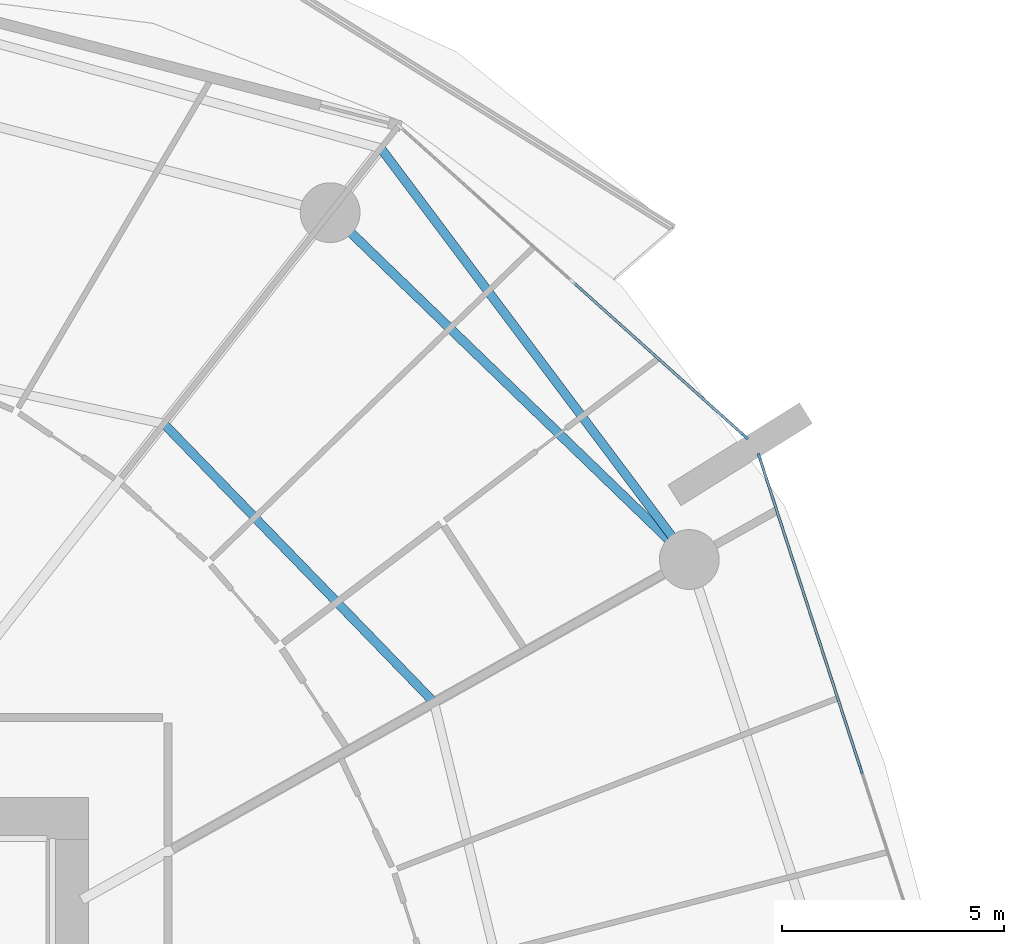
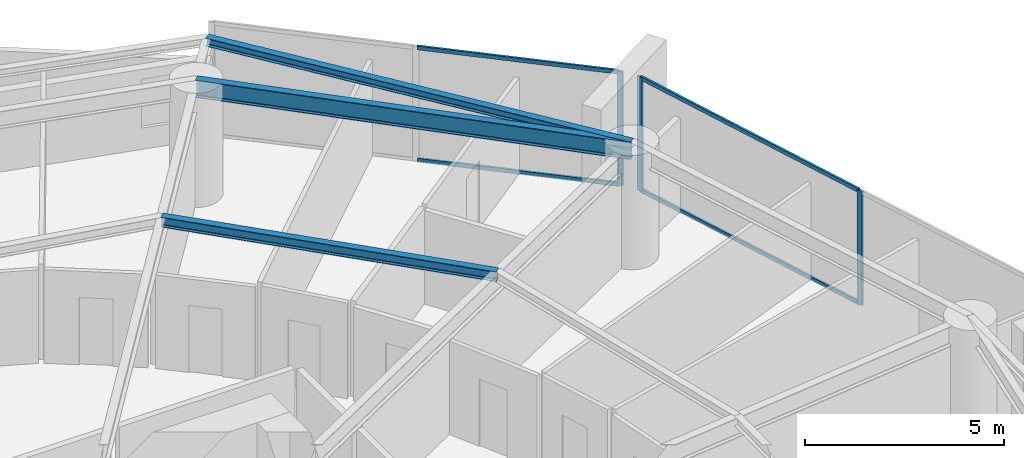
# One storey, part 15 of 31: 7 members, 3 beams, 2 elements without a shape of their own.
"""IFC4 building model written with IfcOpenShell, lengths in metres."""

from ifc_helpers import new_model, si_unit, direction, frame, origin, origin_2d, place, context, subcontext, project, spatial, rectangle, i_section, extrude, material, layer, layer_set, material_profile, profile_set, type_object, element, aggregate, save


model = new_model("IFC4")

# Units and contexts
model_context = context("Model", 3, precision=1e-05, world=origin(), true_north=direction((0.0, 1.0)))
body_context = subcontext(model_context, "Body", "Model", "MODEL_VIEW")
ifc_project = project(units=[si_unit("LENGTHUNIT", "METRE"), si_unit("AREAUNIT", "SQUARE_METRE"), si_unit("VOLUMEUNIT", "CUBIC_METRE"), si_unit("PLANEANGLEUNIT", "RADIAN"), si_unit("MASSUNIT", "GRAM", prefix="KILO")], contexts=[model_context])

# Site, building, storey
site_placement = place(None, origin())
site = spatial("IfcSite", under=ifc_project, at=site_placement, CompositionType="ELEMENT")
building_placement = place(site_placement, origin())
building = spatial("IfcBuilding", under=site, at=building_placement, Name="Kazma Halo Residences", CompositionType="ELEMENT")
storey_placement = place(building_placement, frame((0.0, 0.0, 33.89990234375)))
storey = spatial("IfcBuildingStorey", under=building, at=storey_placement, Name="L07", CompositionType="ELEMENT", Elevation=33.89990234375)

# Beams
ifc_material_1 = material(Name="Steel S355", Category="steel")
ifc_material_profile_1 = material_profile(ifc_material_1, i_section(OverallWidth=0.201904296875, OverallDepth=0.2470703125, WebThickness=0.00732421875, FlangeThickness=0.010986328125, FilletRadius=0.011962890625, at=origin_2d()), Name="W250x49.1")
ifc_profile_set_1 = profile_set([ifc_material_profile_1], Name="Steel S355")
beam_type_1 = type_object("IfcBeamType", Name="BM-BAL-CANT", PredefinedType="BEAM", material=ifc_profile_set_1)
beam_1_placement = place(storey_placement, frame((73.56494140625, 56.317138671875, 3.376708984375), z_axis=(-0.600026935007, 0.799979798037, 0.0), x_axis=(-0.799979798037, -0.600026935007, 0.0)))
element("IfcBeam", 1, at=beam_1_placement, inside=storey, type_object=beam_type_1, Name="L07 wave-balcony lead tie beam 01", PredefinedType="BEAM", context=body_context, shape_type="SweptSolid", body=[
    extrude(i_section(OverallWidth=0.201904296875, OverallDepth=0.2470703125, WebThickness=0.00732421875, FlangeThickness=0.010986328125, FilletRadius=0.011962890625, at=origin_2d()), origin(), (0.0, 0.0, 1.0), 11.601806640625),
])
ifc_material_profile_2 = material_profile(ifc_material_1, i_section(OverallWidth=0.202880859375, OverallDepth=0.302978515625, WebThickness=0.007568359375, FlangeThickness=0.01318359375, FilletRadius=0.013916015625, at=origin_2d()), Name="W310x60")
ifc_profile_set_2 = profile_set([ifc_material_profile_2], Name="Steel S355")
beam_type_2 = type_object("IfcBeamType", Name="BM-SEC-W310A", PredefinedType="JOIST", material=ifc_profile_set_2)
beam_2_placement = place(storey_placement, frame((67.8046875, 53.09130859375, 3.3486328125), z_axis=(-0.696130608567, 0.717915159205, 0.0), x_axis=(-0.717915159205, -0.696130608567, 0.0)))
element("IfcBeam", 2, at=beam_2_placement, inside=storey, type_object=beam_type_2, Name="L07 circumferential floor joist 01", PredefinedType="JOIST", context=body_context, shape_type="SweptSolid", body=[
    extrude(i_section(OverallWidth=0.202880859375, OverallDepth=0.302978515625, WebThickness=0.007568359375, FlangeThickness=0.01318359375, FilletRadius=0.013916015625, at=origin_2d()), origin(), (0.0, 0.0, 1.0), 8.763916015625),
])
ifc_material_profile_3 = material_profile(ifc_material_1, i_section(OverallWidth=0.208984375, OverallDepth=0.532958984375, WebThickness=0.01025390625, FlangeThickness=0.015625, FilletRadius=0.01611328125, at=origin_2d()), Name="W530x92")
ifc_profile_set_3 = profile_set([ifc_material_profile_3], Name="Steel S355")
beam_type_3 = type_object("IfcBeamType", Name="BM-SPN-W530", PredefinedType="BEAM", material=ifc_profile_set_3)
beam_3_placement = place(storey_placement, frame((73.56494140625, 56.317138671875, 3.233642578125), z_axis=(-0.719336506967, 0.694661780829, 0.0), x_axis=(-0.694661780829, -0.719336506967, 0.0)))
element("IfcBeam", 3, at=beam_3_placement, inside=storey, type_object=beam_type_3, Name="L07 perimeter ring beam 01", PredefinedType="BEAM", context=body_context, shape_type="SweptSolid", body=[
    extrude(i_section(OverallWidth=0.208984375, OverallDepth=0.532958984375, WebThickness=0.01025390625, FlangeThickness=0.015625, FilletRadius=0.01611328125, at=origin_2d()), origin(), (0.0, 0.0, 1.0), 11.269775390625),
])

# Curtain wall, member
ifc_material_2 = material(Name="Aluminium AW-6063 T6 and Triple-Silver Low-E Glass", Category="aluminium")
ifc_layer = layer(ifc_material_2, 0.159912109375)
ifc_layer_set = layer_set([ifc_layer], Name="Aluminium AW-6063 T6 and Triple-Silver Low-E Glass")
curtain_wall_type = type_object("IfcCurtainWallType", Name="CW-SYS-2", PredefinedType="NOTDEFINED", material=ifc_layer_set)
curtain_wall_1_placement = place(storey_placement, origin())
curtain_wall_1 = element("IfcCurtainWall", 4, at=curtain_wall_1_placement, inside=storey, type_object=curtain_wall_type, Name="L07 unitised curtain wall B01", PredefinedType="NOTDEFINED")
ifc_material_3 = material(Name="Aluminium AW-6063 T6", Category="aluminium")
ifc_material_profile_4 = material_profile(ifc_material_3, rectangle(XDim=0.06005859375, YDim=0.159912109375, at=origin_2d()), Name="CWM-60x160")
ifc_profile_set_4 = profile_set([ifc_material_profile_4], Name="Aluminium AW-6063 T6")
member_type_1 = type_object("IfcMemberType", Name="CW-SYS-2-MUL", PredefinedType="MULLION", material=ifc_profile_set_4)
member_1_placement = place(storey_placement, frame((74.82666015625, 59.091796875, 0.0), z_axis=(0.0, 0.0, 1.0), x_axis=(-0.667821453854, -0.744321506993, 0.0)))
member_1 = element("IfcMember", 5, at=member_1_placement, type_object=member_type_1, Name="CWS-2 mullion 1", PredefinedType="MULLION", context=body_context, shape_type="SweptSolid", body=[
    extrude(rectangle(XDim=0.06005859375, YDim=0.159912109375, at=origin_2d()), origin(), (0.0, 0.0, 1.0), 3.5),
])

# Curtain wall, members
curtain_wall_2_placement = place(storey_placement, origin())
curtain_wall_2 = element("IfcCurtainWall", 6, at=curtain_wall_2_placement, inside=storey, type_object=curtain_wall_type, Name="L07 unitised curtain wall B16", PredefinedType="NOTDEFINED")
member_2_placement = place(storey_placement, frame((77.44189453125, 51.56640625, 0.0), z_axis=(0.0, 0.0, 1.0), x_axis=(-0.95105652404, -0.309016970539, 0.0)))
member_2 = element("IfcMember", 7, at=member_2_placement, type_object=member_type_1, Name="CWS-2 mullion 2", PredefinedType="MULLION", context=body_context, shape_type="SweptSolid", body=[
    extrude(rectangle(XDim=0.06005859375, YDim=0.159912109375, at=origin_2d()), origin(), (0.0, 0.0, 1.0), 3.5),
])
member_3_placement = place(storey_placement, frame((75.145751953125, 58.63330078125, 0.0), z_axis=(0.0, 0.0, 1.0), x_axis=(-0.95105652404, -0.309016970539, 0.0)))
member_3 = element("IfcMember", 8, at=member_3_placement, type_object=member_type_1, Name="CWS-2 mullion 3", PredefinedType="MULLION", context=body_context, shape_type="SweptSolid", body=[
    extrude(rectangle(XDim=0.06005859375, YDim=0.159912109375, at=origin_2d()), origin(), (0.0, 0.0, 1.0), 3.5),
])

# Member
ifc_material_profile_5 = material_profile(ifc_material_3, rectangle(XDim=0.06005859375, YDim=0.1201171875, at=origin_2d()), Name="CWT-60x120")
ifc_profile_set_5 = profile_set([ifc_material_profile_5], Name="Aluminium AW-6063 T6")
member_type_2 = type_object("IfcMemberType", Name="CW-SYS-2-TRN", PredefinedType="USERDEFINED", material=ifc_profile_set_5)
member_4_placement = place(storey_placement, frame((74.80419921875, 59.11181640625, 0.030029296875), z_axis=(-0.744329408538, 0.66781264707, 0.0), x_axis=(-0.66781264707, -0.744329408538, 0.0)))
member_4 = element("IfcMember", 9, at=member_4_placement, type_object=member_type_2, Name="CWS-2 transom 1.1", ObjectType="TRANSOM", PredefinedType="USERDEFINED", context=body_context, shape_type="SweptSolid", body=[
    extrude(rectangle(XDim=0.06005859375, YDim=0.1201171875, at=origin_2d()), origin(), (0.0, 0.0, 1.0), 5.178466796875),
])

member_5_placement = place(storey_placement, frame((74.80419921875, 59.11181640625, 3.47021484375), z_axis=(-0.744329408538, 0.66781264707, 0.0), x_axis=(-0.66781264707, -0.744329408538, 0.0)))
member_5 = element("IfcMember", 10, at=member_5_placement, type_object=member_type_2, Name="CWS-2 transom 1.2", ObjectType="TRANSOM", PredefinedType="USERDEFINED", context=body_context, shape_type="SweptSolid", body=[
    extrude(rectangle(XDim=0.06005859375, YDim=0.1201171875, at=origin_2d()), origin(), (0.0, 0.0, 1.0), 5.178466796875),
])

aggregate(curtain_wall_1, [member_1, member_4, member_5])

member_6_placement = place(storey_placement, frame((77.4326171875, 51.5947265625, 0.030029296875), z_axis=(-0.309004433966, 0.951060597328, 0.0), x_axis=(-0.951060597328, -0.309004433966, 0.0)))
member_6 = element("IfcMember", 11, at=member_6_placement, type_object=member_type_2, Name="CWS-2 transom 2.1", ObjectType="TRANSOM", PredefinedType="USERDEFINED", context=body_context, shape_type="SweptSolid", body=[
    extrude(rectangle(XDim=0.06005859375, YDim=0.1201171875, at=origin_2d()), origin(), (0.0, 0.0, 1.0), 7.370849609375),
])

member_7_placement = place(storey_placement, frame((77.4326171875, 51.5947265625, 3.47021484375), z_axis=(-0.309004433966, 0.951060597328, 0.0), x_axis=(-0.951060597328, -0.309004433966, 0.0)))
member_7 = element("IfcMember", 12, at=member_7_placement, type_object=member_type_2, Name="CWS-2 transom 2.2", ObjectType="TRANSOM", PredefinedType="USERDEFINED", context=body_context, shape_type="SweptSolid", body=[
    extrude(rectangle(XDim=0.06005859375, YDim=0.1201171875, at=origin_2d()), origin(), (0.0, 0.0, 1.0), 7.370849609375),
])

aggregate(curtain_wall_2, [member_2, member_3, member_6, member_7])

save(model, "model.ifc")
